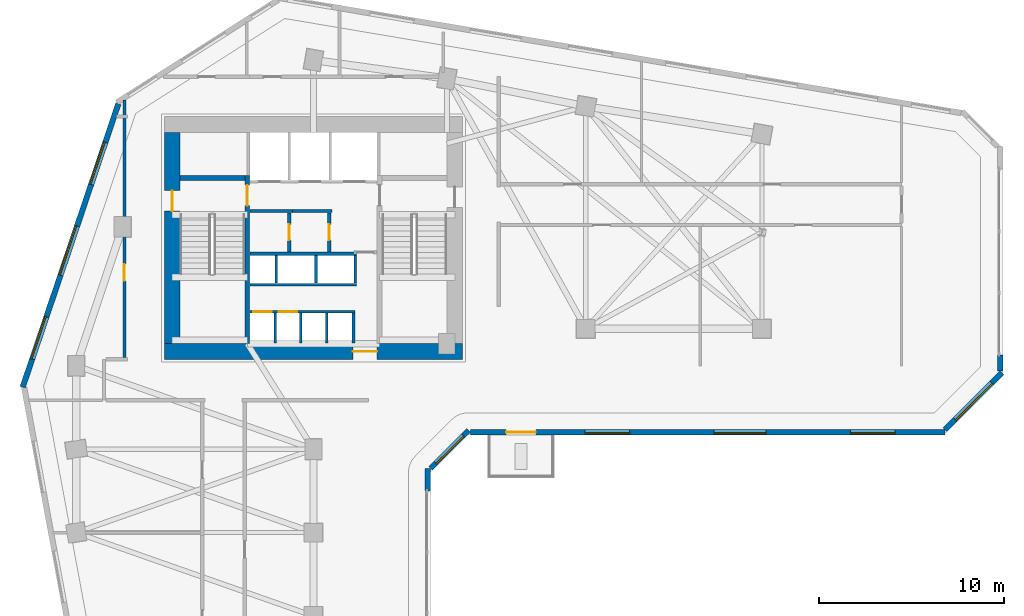
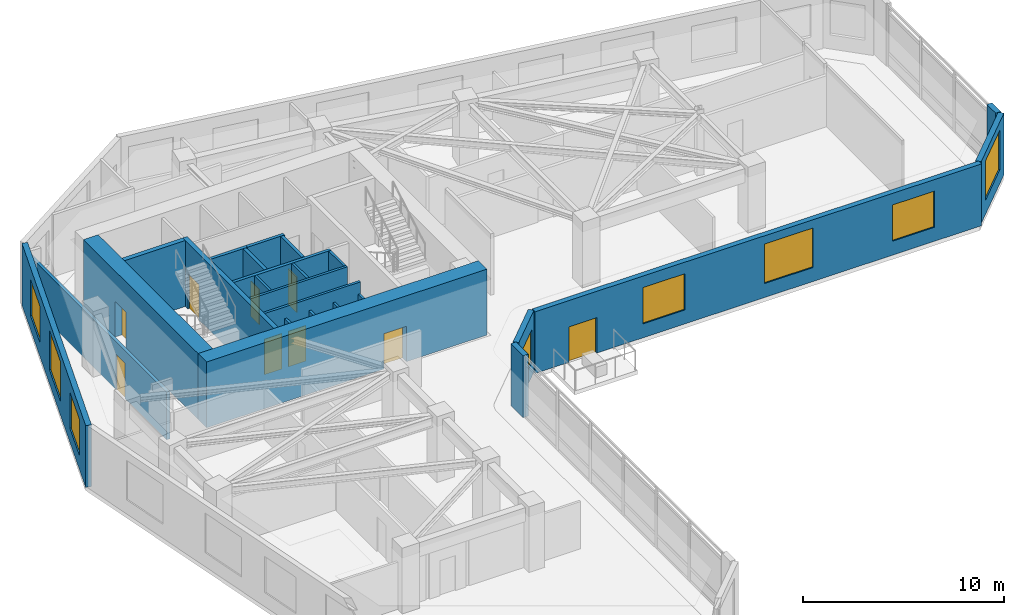
# One storey, part 7 of 11: 25 walls, 9 doors, 8 windows, 17 openings.
"""IFC4 building model written with IfcOpenShell, lengths in metres."""

from ifc_helpers import new_model, si_unit, direction, frame, frame_2d, origin, place, context, subcontext, project, spatial, rectangle, extrude, source, transform, mapped, material, layer, layer_set, type_object, element, fill, save


model = new_model("IFC4")

# Units and contexts
model_context = context("Model", 3, precision=1e-05, world=origin(), true_north=direction((0.0, 1.0)))
body_context = subcontext(model_context, "Body", "Model", "MODEL_VIEW")
ifc_project = project(units=[si_unit("LENGTHUNIT", "METRE"), si_unit("AREAUNIT", "SQUARE_METRE"), si_unit("VOLUMEUNIT", "CUBIC_METRE"), si_unit("PLANEANGLEUNIT", "RADIAN"), si_unit("MASSUNIT", "GRAM", prefix="KILO")], contexts=[model_context])

# Site, building, storey
site_placement = place(None, origin())
site = spatial("IfcSite", under=ifc_project, at=site_placement, CompositionType="ELEMENT")
building_placement = place(site_placement, origin())
building = spatial("IfcBuilding", under=site, at=building_placement, Name="Calvemar Wedge Station Tower", CompositionType="ELEMENT")
storey_placement = place(building_placement, frame((0.0, 0.0, 47.0)))
storey = spatial("IfcBuildingStorey", under=building, at=storey_placement, Name="L11", CompositionType="ELEMENT", Elevation=47.0)

# Wall, opening, door
ifc_material_1 = material(Name="Concrete C50", Category="concrete")
ifc_layer_1 = layer(ifc_material_1, 0.260009765625)
ifc_layer_set_1 = layer_set([ifc_layer_1], Name="Concrete C50")
wall_type_1 = type_object("IfcWallType", Name="SW-CORE-260", PredefinedType="SHEAR", material=ifc_layer_set_1)
wall_1_placement = place(storey_placement, frame((20.22998046875, 34.199951171875, 0.0), z_axis=(0.0, 0.0, 1.0), x_axis=(0.0, 1.0, 0.0)))
wall_1 = element("IfcWall", 1, at=wall_1_placement, inside=storey, type_object=wall_type_1, Name="Storey L11 Core Shear Wall SPINE-W", PredefinedType="SHEAR", context=body_context, shape_type="SweptSolid", body=[
    extrude(rectangle(XDim=9.06005859375, YDim=0.260009765625, at=frame_2d((4.530029296875, 0.0))), origin(), (0.0, 0.0, 1.0), 4.0),
])
shared_shape_1 = source(origin(), body_context, "Body", "SweptSolid", [
    extrude(rectangle(XDim=1.10009765625, YDim=2.14990234375, at=frame_2d((0.550048828125, 1.074951171875))), frame((0.0, 0.14013671875, 0.0), z_axis=(0.0, -1.0, 0.0), x_axis=(1.0, 0.0, 0.0)), (0.0, 0.0, 1.0), 0.280029296875),
])
opening_1_placement = place(wall_1_placement, frame((7.449951171875, 0.0, 0.0)))
opening_1 = element("IfcOpeningElement", 2, at=opening_1_placement, cuts=wall_1, Name="Opening FD-90", PredefinedType="OPENING", context=body_context, shape_type="MappedRepresentation", body=[
    mapped(shared_shape_1, transform((0.0, 0.0, 0.0), scale=1.0)),
])
ifc_material_2 = material(Name="Galvanized fire-rated steel door leaf P-90", Category="steel")
door_type_1 = type_object("IfcDoorType", Name="DR-FD90-1100", OperationType="NOTDEFINED", PredefinedType="DOOR", material=ifc_material_2)
shared_shape_2 = source(origin(), body_context, "Body", "SweptSolid", [
    extrude(rectangle(XDim=1.10009765625, YDim=2.14990234375, at=frame_2d((0.550048828125, 1.074951171875))), frame((0.0, 0.02490234375, 0.0), z_axis=(0.0, -1.0, 0.0), x_axis=(1.0, 0.0, 0.0)), (0.0, 0.0, 1.0), 0.050048828125),
])
door_1_placement = place(opening_1_placement, origin())
door_1 = element("IfcDoor", 3, at=door_1_placement, inside=storey, type_object=door_type_1, Name="L11 FF Lobby to Stair ST-C1 Door", OperationType="SINGLE_SWING_LEFT", OverallHeight=2.14990234375, OverallWidth=1.10009765625, PredefinedType="DOOR", context=body_context, shape_type="MappedRepresentation", body=[
    mapped(shared_shape_2, transform((0.0, 0.0, 0.0), scale=1.0)),
])
fill(opening_1, door_1)

# Wall
wall_2_placement = place(storey_placement, frame((16.60009765625, 43.1298828125, 0.0), z_axis=(0.0, 0.0, 1.0), x_axis=(1.0, 0.0, 0.0)))
element("IfcWall", 4, at=wall_2_placement, inside=storey, type_object=wall_type_1, Name="Storey L11 Core Shear Wall STC1-N", PredefinedType="SHEAR", context=body_context, shape_type="SweptSolid", body=[
    extrude(rectangle(XDim=3.5, YDim=0.260009765625, at=frame_2d((1.75, 0.0))), origin(), (0.0, 0.0, 1.0), 4.0),
])

# Wall, opening, door
ifc_material_3 = material(Name="Concrete C80", Category="concrete")
ifc_layer_2 = layer(ifc_material_3, 0.85009765625)
ifc_layer_set_2 = layer_set([ifc_layer_2], Name="Concrete C80")
wall_type_2 = type_object("IfcWallType", Name="SW-CORE-850", PredefinedType="SHEAR", material=ifc_layer_set_2)
wall_3_placement = place(storey_placement, frame((15.75, 33.77490234375, 0.0), z_axis=(0.0, 0.0, 1.0), x_axis=(1.0, 0.0, 0.0)))
wall_3 = element("IfcWall", 5, at=wall_3_placement, inside=storey, type_object=wall_type_2, Name="Storey L11 Core Shear Wall S", PredefinedType="SHEAR", context=body_context, shape_type="SweptSolid", body=[
    extrude(rectangle(XDim=16.10009765625, YDim=0.85009765625, at=frame_2d((8.050048828125, 0.0))), origin(), (0.0, 0.0, 1.0), 4.0),
])
shared_shape_3 = source(origin(), body_context, "Body", "SweptSolid", [
    extrude(rectangle(XDim=1.300048828125, YDim=2.14990234375, at=frame_2d((0.64990234375, 1.074951171875))), frame((0.0, 0.43505859375, 0.0), z_axis=(0.0, -1.0, 0.0), x_axis=(1.0, 0.0, 0.0)), (0.0, 0.0, 1.0), 0.8701171875),
])
opening_2_placement = place(wall_3_placement, frame((10.179931640625, 0.0, 0.0)))
opening_2 = element("IfcOpeningElement", 6, at=opening_2_placement, cuts=wall_3, Name="Opening DD-130", PredefinedType="OPENING", context=body_context, shape_type="MappedRepresentation", body=[
    mapped(shared_shape_3, transform((0.0, 0.0, 0.0), scale=1.0)),
])
ifc_material_4 = material(Name="Double-leaf lift lobby fire door EI 60")
door_type_2 = type_object("IfcDoorType", Name="DR-DBL-1300", OperationType="DOUBLE_DOOR_SINGLE_SWING", PredefinedType="DOOR", material=ifc_material_4)
shared_shape_4 = source(origin(), body_context, "Body", "SweptSolid", [
    extrude(rectangle(XDim=1.300048828125, YDim=2.14990234375, at=frame_2d((0.64990234375, 1.074951171875))), frame((0.0, 0.02490234375, 0.0), z_axis=(0.0, -1.0, 0.0), x_axis=(1.0, 0.0, 0.0)), (0.0, 0.0, 1.0), 0.050048828125),
])
door_2_placement = place(opening_2_placement, origin())
door_2 = element("IfcDoor", 7, at=door_2_placement, inside=storey, type_object=door_type_2, Name="L11 Passenger Lift Lobby Door", OperationType="DOUBLE_DOOR_SINGLE_SWING", OverallHeight=2.14990234375, OverallWidth=1.300048828125, PredefinedType="DOOR", context=body_context, shape_type="MappedRepresentation", body=[
    mapped(shared_shape_4, transform((0.0, 0.0, 0.0), scale=1.0)),
])
fill(opening_2, door_2)

wall_4_placement = place(storey_placement, frame((16.175048828125, 34.199951171875, 0.0), z_axis=(0.0, 0.0, 1.0), x_axis=(0.0, 1.0, 0.0)))
wall_4 = element("IfcWall", 8, at=wall_4_placement, inside=storey, type_object=wall_type_2, Name="Storey L11 Core Shear Wall W", PredefinedType="SHEAR", context=body_context, shape_type="SweptSolid", body=[
    extrude(rectangle(XDim=11.400146484375, YDim=0.85009765625, at=frame_2d((5.7001953125, 0.0))), origin(), (0.0, 0.0, 1.0), 4.0),
])
shared_shape_5 = source(origin(), body_context, "Body", "SweptSolid", [
    extrude(rectangle(XDim=1.10009765625, YDim=2.14990234375, at=frame_2d((0.550048828125, 1.074951171875))), frame((0.0, 0.43505859375, 0.0), z_axis=(0.0, -1.0, 0.0), x_axis=(1.0, 0.0, 0.0)), (0.0, 0.0, 1.0), 0.8701171875),
])
opening_3_placement = place(wall_4_placement, frame((7.14990234375, 0.0, 0.0)))
opening_3 = element("IfcOpeningElement", 9, at=opening_3_placement, cuts=wall_4, Name="Opening FD-90", PredefinedType="OPENING", context=body_context, shape_type="MappedRepresentation", body=[
    mapped(shared_shape_5, transform((0.0, 0.0, 0.0), scale=1.0)),
])
door_3_placement = place(opening_3_placement, origin())
door_3 = element("IfcDoor", 10, at=door_3_placement, inside=storey, type_object=door_type_1, Name="L11 West Corridor to Exit Stair ST-C1 Door", OperationType="SINGLE_SWING_LEFT", OverallHeight=2.14990234375, OverallWidth=1.10009765625, PredefinedType="DOOR", context=body_context, shape_type="MappedRepresentation", body=[
    mapped(shared_shape_2, transform((0.0, 0.0, 0.0), scale=1.0)),
])
fill(opening_3, door_3)

# Walls
ifc_material_5 = material(Name="Double-stud fire-rated corridor partition")
ifc_layer_3 = layer(ifc_material_5, 0.179931640625)
ifc_layer_set_3 = layer_set([ifc_layer_3], Name="Double-stud fire-rated corridor partition")
wall_type_3 = type_object("IfcWallType", Name="W-CORR-180", PredefinedType="PARTITIONING", material=ifc_layer_set_3)
wall_5_placement = place(storey_placement, frame((22.659912109375, 41.35009765625, 0.0), z_axis=(0.0, 0.0, 1.0), x_axis=(-1.0, 0.0, 0.0)))
element("IfcWall", 11, at=wall_5_placement, inside=storey, type_object=wall_type_3, Name="Storey L11 Interior Partition WL-L11-001", PredefinedType="PARTITIONING", context=body_context, shape_type="SweptSolid", body=[
    extrude(rectangle(XDim=2.280029296875, YDim=0.179931640625, at=frame_2d((1.14013671875, 0.0))), origin(), (0.0, 0.0, 1.0), 3.75),
])
wall_6_placement = place(storey_placement, frame((24.81005859375, 41.35009765625, 0.0), z_axis=(0.0, 0.0, 1.0), x_axis=(-1.0, 0.0, 0.0)))
element("IfcWall", 12, at=wall_6_placement, inside=storey, type_object=wall_type_3, Name="Storey L11 Interior Partition WL-L11-002", PredefinedType="PARTITIONING", context=body_context, shape_type="SweptSolid", body=[
    extrude(rectangle(XDim=2.14794921875, YDim=0.179931640625, at=frame_2d((1.073974609375, 0.0))), origin(), (0.0, 0.0, 1.0), 3.75),
])

# Wall, opening, door
wall_7_placement = place(storey_placement, frame((22.5, 41.256103515625, 0.0), z_axis=(0.0, 0.0, 1.0), x_axis=(0.0, -1.0, 0.0)))
wall_7 = element("IfcWall", 13, at=wall_7_placement, inside=storey, type_object=wall_type_3, Name="Storey L11 Interior Partition WL-L11-003", PredefinedType="PARTITIONING", context=body_context, shape_type="SweptSolid", body=[
    extrude(rectangle(XDim=2.106201171875, YDim=0.179931640625, at=frame_2d((1.05322265625, 0.0))), origin(), (0.0, 0.0, 1.0), 3.75),
])
shared_shape_6 = source(origin(), body_context, "Body", "SweptSolid", [
    extrude(rectangle(XDim=0.85009765625, YDim=2.14990234375, at=frame_2d((0.425048828125, 1.074951171875))), frame((0.0, 0.10009765625, 0.0), z_axis=(0.0, -1.0, 0.0), x_axis=(1.0, 0.0, 0.0)), (0.0, 0.0, 1.0), 0.199951171875),
])
opening_4_placement = place(wall_7_placement, frame((0.6279296875, 0.0, 0.0)))
opening_4 = element("IfcOpeningElement", 14, at=opening_4_placement, cuts=wall_7, Name="Opening FD-60S", PredefinedType="OPENING", context=body_context, shape_type="MappedRepresentation", body=[
    mapped(shared_shape_6, transform((0.0, 0.0, 0.0), scale=1.0)),
])
ifc_material_6 = material(Name="Fire-rated steel and hardwood service door EI 60", Category="steel")
door_type_3 = type_object("IfcDoorType", Name="DR-CORE-FD60-850", OperationType="NOTDEFINED", PredefinedType="DOOR", material=ifc_material_6)
shared_shape_7 = source(origin(), body_context, "Body", "SweptSolid", [
    extrude(rectangle(XDim=0.85009765625, YDim=2.14990234375, at=frame_2d((0.425048828125, 1.074951171875))), frame((0.0, 0.02490234375, 0.0), z_axis=(0.0, -1.0, 0.0), x_axis=(1.0, 0.0, 0.0)), (0.0, 0.0, 1.0), 0.050048828125),
])
door_4_placement = place(opening_4_placement, origin())
door_4 = element("IfcDoor", 15, at=door_4_placement, inside=storey, type_object=door_type_3, Name="L11 IT and Telecoms Room Door", OperationType="SINGLE_SWING_LEFT", OverallHeight=2.14990234375, OverallWidth=0.85009765625, PredefinedType="DOOR", context=body_context, shape_type="MappedRepresentation", body=[
    mapped(shared_shape_7, transform((0.0, 0.0, 0.0), scale=1.0)),
])
fill(opening_4, door_4)

wall_8_placement = place(storey_placement, frame((24.64990234375, 41.256103515625, 0.0), z_axis=(0.0, 0.0, 1.0), x_axis=(0.0, -1.0, 0.0)))
wall_8 = element("IfcWall", 16, at=wall_8_placement, inside=storey, type_object=wall_type_3, Name="Storey L11 Interior Partition WL-L11-004", PredefinedType="PARTITIONING", context=body_context, shape_type="SweptSolid", body=[
    extrude(rectangle(XDim=2.106201171875, YDim=0.179931640625, at=frame_2d((1.05322265625, 0.0))), origin(), (0.0, 0.0, 1.0), 3.75),
])
opening_5_placement = place(wall_8_placement, frame((0.6279296875, 0.0, 0.0)))
opening_5 = element("IfcOpeningElement", 17, at=opening_5_placement, cuts=wall_8, Name="Opening FD-60S", PredefinedType="OPENING", context=body_context, shape_type="MappedRepresentation", body=[
    mapped(shared_shape_6, transform((0.0, 0.0, 0.0), scale=1.0)),
])
door_5_placement = place(opening_5_placement, origin())
door_5 = element("IfcDoor", 18, at=door_5_placement, inside=storey, type_object=door_type_3, Name="L11 Core Equipment Store Door", OperationType="SINGLE_SWING_RIGHT", OverallHeight=2.14990234375, OverallWidth=0.85009765625, PredefinedType="DOOR", context=body_context, shape_type="MappedRepresentation", body=[
    mapped(shared_shape_7, transform((0.0, 0.0, 0.0), scale=1.0)),
])
fill(opening_5, door_5)

wall_9_placement = place(storey_placement, frame((13.60009765625, 33.444091796875, 0.0), z_axis=(0.0, 0.0, 1.0), x_axis=(0.0, 1.0, 0.0)))
wall_9 = element("IfcWall", 19, at=wall_9_placement, inside=storey, type_object=wall_type_3, Name="Storey L11 Interior Partition WL-L11-010", PredefinedType="PARTITIONING", context=body_context, shape_type="SweptSolid", body=[
    extrude(rectangle(XDim=13.896240234375, YDim=0.179931640625, at=frame_2d((6.9482421875, 0.0))), origin(), (0.0, 0.0, 1.0), 2.89208984375),
])
shared_shape_8 = source(origin(), body_context, "Body", "SweptSolid", [
    extrude(rectangle(XDim=0.89990234375, YDim=2.14990234375, at=frame_2d((0.449951171875, 1.074951171875))), frame((0.0, 0.10009765625, 0.0), z_axis=(0.0, -1.0, 0.0), x_axis=(1.0, 0.0, 0.0)), (0.0, 0.0, 1.0), 0.199951171875),
])
opening_6_placement = place(wall_9_placement, frame((4.143798828125, 0.0, 0.0)))
opening_6 = element("IfcOpeningElement", 20, at=opening_6_placement, cuts=wall_9, Name="Opening D-01", PredefinedType="OPENING", context=body_context, shape_type="MappedRepresentation", body=[
    mapped(shared_shape_8, transform((0.0, 0.0, 0.0), scale=1.0)),
])
ifc_material_7 = material(Name="Architectural hardwood acoustic swing door", Category="wood")
door_type_4 = type_object("IfcDoorType", Name="DR-INT-900", OperationType="NOTDEFINED", PredefinedType="DOOR", material=ifc_material_7)
shared_shape_9 = source(origin(), body_context, "Body", "SweptSolid", [
    extrude(rectangle(XDim=0.89990234375, YDim=2.14990234375, at=frame_2d((0.449951171875, 1.074951171875))), frame((0.0, 0.02490234375, 0.0), z_axis=(0.0, -1.0, 0.0), x_axis=(1.0, 0.0, 0.0)), (0.0, 0.0, 1.0), 0.050048828125),
])
door_6_placement = place(opening_6_placement, origin())
door_6 = element("IfcDoor", 21, at=door_6_placement, inside=storey, type_object=door_type_4, Name="L11 Co-Working Studio Door", OperationType="SINGLE_SWING_RIGHT", OverallHeight=2.14990234375, OverallWidth=0.89990234375, PredefinedType="DOOR", context=body_context, shape_type="MappedRepresentation", body=[
    mapped(shared_shape_9, transform((0.0, 0.0, 0.0), scale=1.0)),
])
fill(opening_6, door_6)

# Wall
ifc_material_8 = material(Name="Precast concrete C45", Category="concrete")
ifc_layer_4 = layer(ifc_material_8, 0.300048828125)
ifc_layer_set_4 = layer_set([ifc_layer_4], Name="Precast concrete C45")
wall_type_4 = type_object("IfcWallType", Name="W-EXT-GFRC-300", PredefinedType="SOLIDWALL", material=ifc_layer_set_4)
wall_10_placement = place(storey_placement, frame((29.97802734375, 26.2470703125, 0.0), z_axis=(0.0, 0.0, 1.0), x_axis=(0.0, 1.0, 0.0)))
element("IfcWall", 22, at=wall_10_placement, inside=storey, type_object=wall_type_4, Name="Storey L11 Bronze GFRC Corner Pier 4B", PredefinedType="SOLIDWALL", context=body_context, shape_type="SweptSolid", body=[
    extrude(rectangle(XDim=1.22509765625, YDim=0.300048828125, at=frame_2d((0.612548828125, 0.0))), origin(), (0.0, 0.0, 1.0), 3.75),
])

# Wall, opening, window
wall_11_placement = place(storey_placement, frame((30.115966796875, 27.460205078125, 0.0), z_axis=(0.0, 0.0, 1.0), x_axis=(0.707106781187, 0.707106781187, 0.0)))
wall_11 = element("IfcWall", 23, at=wall_11_placement, inside=storey, type_object=wall_type_4, Name="Storey L11 Bronze GFRC Exterior Wall 5", PredefinedType="SOLIDWALL", context=body_context, shape_type="SweptSolid", body=[
    extrude(rectangle(XDim=2.907470703125, YDim=0.300048828125, at=frame_2d((1.45361328125, 0.0))), origin(), (0.0, 0.0, 1.0), 3.75),
])
shared_shape_10 = source(origin(), body_context, "Body", "SweptSolid", [
    extrude(rectangle(XDim=2.10009765625, YDim=2.0, at=frame_2d((1.050048828125, 1.0))), frame((0.0, 0.16015625, 0.0), z_axis=(0.0, -1.0, 0.0), x_axis=(1.0, 0.0, 0.0)), (0.0, 0.0, 1.0), 0.320068359375),
])
opening_7_placement = place(wall_11_placement, frame((0.404052734375, 0.0, 0.85009765625)))
opening_7 = element("IfcOpeningElement", 24, at=opening_7_placement, cuts=wall_11, Name="Opening W4", PredefinedType="OPENING", context=body_context, shape_type="MappedRepresentation", body=[
    mapped(shared_shape_10, transform((0.0, 0.0, 0.0), scale=1.0)),
])
ifc_material_9 = material(Name="Low-E laminated insulated glass", Category="glass")
window_type_1 = type_object("IfcWindowType", Name="WIN-EXT-4", PartitioningType="SINGLE_PANEL", PredefinedType="WINDOW", material=ifc_material_9)
shared_shape_11 = source(origin(), body_context, "Body", "SweptSolid", [
    extrude(rectangle(XDim=2.10009765625, YDim=2.0, at=frame_2d((1.050048828125, 1.0))), frame((0.0, -0.014892578125, 0.0), z_axis=(0.0, -1.0, 0.0), x_axis=(1.0, 0.0, 0.0)), (0.0, 0.0, 1.0), 0.06005859375),
])
window_1_placement = place(opening_7_placement, origin())
window_1 = element("IfcWindow", 25, at=window_1_placement, inside=storey, type_object=window_type_1, Name="Storey L11 Recessed Window 5.1", OverallHeight=2.0, OverallWidth=2.10009765625, PartitioningType="SINGLE_PANEL", PredefinedType="WINDOW", context=body_context, shape_type="MappedRepresentation", body=[
    mapped(shared_shape_11, transform((0.0, 0.0, 0.0), scale=1.0)),
])
fill(opening_7, window_1)

# Wall, openings, windows, door
wall_12_placement = place(storey_placement, frame((32.260986328125, 29.409912109375, 0.0), z_axis=(0.0, 0.0, 1.0), x_axis=(1.0, 0.0, 0.0)))
wall_12 = element("IfcWall", 26, at=wall_12_placement, inside=storey, type_object=wall_type_4, Name="Storey L11 Bronze GFRC Exterior Wall 6", PredefinedType="SOLIDWALL", context=body_context, shape_type="SweptSolid", body=[
    extrude(rectangle(XDim=25.626953125, YDim=0.300048828125, at=frame_2d((12.8134765625, 0.0))), origin(), (0.0, 0.0, 1.0), 3.75),
])
shared_shape_12 = source(origin(), body_context, "Body", "SweptSolid", [
    extrude(rectangle(XDim=1.60009765625, YDim=2.14990234375, at=frame_2d((0.800048828125, 1.074951171875))), frame((0.0, 0.16015625, 0.0), z_axis=(0.0, -1.0, 0.0), x_axis=(1.0, 0.0, 0.0)), (0.0, 0.0, 1.0), 0.320068359375),
])
opening_8_placement = place(wall_12_placement, frame((1.93896484375, 0.0, 0.0)))
opening_8 = element("IfcOpeningElement", 27, at=opening_8_placement, cuts=wall_12, Name="Opening DT1", PredefinedType="OPENING", context=body_context, shape_type="MappedRepresentation", body=[
    mapped(shared_shape_12, transform((0.0, 0.0, 0.0), scale=1.0)),
])
shared_shape_13 = source(origin(), body_context, "Body", "SweptSolid", [
    extrude(rectangle(XDim=2.39990234375, YDim=2.199951171875, at=frame_2d((1.199951171875, 1.10009765625))), frame((0.0, 0.16015625, 0.0), z_axis=(0.0, -1.0, 0.0), x_axis=(1.0, 0.0, 0.0)), (0.0, 0.0, 1.0), 0.320068359375),
])
opening_9_placement = place(wall_12_placement, frame((6.199951171875, 0.0, 0.85009765625)))
opening_9 = element("IfcOpeningElement", 28, at=opening_9_placement, cuts=wall_12, Name="Opening W1", PredefinedType="OPENING", context=body_context, shape_type="MappedRepresentation", body=[
    mapped(shared_shape_13, transform((0.0, 0.0, 0.0), scale=1.0)),
])
shared_shape_14 = source(origin(), body_context, "Body", "SweptSolid", [
    extrude(rectangle(XDim=2.800048828125, YDim=2.39990234375, at=frame_2d((1.39990234375, 1.199951171875))), frame((0.0, 0.16015625, 0.0), z_axis=(0.0, -1.0, 0.0), x_axis=(1.0, 0.0, 0.0)), (0.0, 0.0, 1.0), 0.320068359375),
])
opening_10_placement = place(wall_12_placement, frame((13.1630859375, 0.0, 0.85009765625)))
opening_10 = element("IfcOpeningElement", 29, at=opening_10_placement, cuts=wall_12, Name="Opening W6", PredefinedType="OPENING", context=body_context, shape_type="MappedRepresentation", body=[
    mapped(shared_shape_14, transform((0.0, 0.0, 0.0), scale=1.0)),
])
opening_11_placement = place(wall_12_placement, frame((20.52587890625, 0.0, 0.85009765625)))
opening_11 = element("IfcOpeningElement", 30, at=opening_11_placement, cuts=wall_12, Name="Opening W1", PredefinedType="OPENING", context=body_context, shape_type="MappedRepresentation", body=[
    mapped(shared_shape_13, transform((0.0, 0.0, 0.0), scale=1.0)),
])
window_type_2 = type_object("IfcWindowType", Name="WIN-EXT-6", PartitioningType="SINGLE_PANEL", PredefinedType="WINDOW", material=ifc_material_9)
shared_shape_15 = source(origin(), body_context, "Body", "SweptSolid", [
    extrude(rectangle(XDim=2.800048828125, YDim=2.39990234375, at=frame_2d((1.39990234375, 1.199951171875))), frame((0.0, -0.014892578125, 0.0), z_axis=(0.0, -1.0, 0.0), x_axis=(1.0, 0.0, 0.0)), (0.0, 0.0, 1.0), 0.06005859375),
])
window_2_placement = place(opening_10_placement, origin())
window_2 = element("IfcWindow", 31, at=window_2_placement, inside=storey, type_object=window_type_2, Name="Storey L11 Recessed Window 6.2", OverallHeight=2.39990234375, OverallWidth=2.800048828125, PartitioningType="SINGLE_PANEL", PredefinedType="WINDOW", context=body_context, shape_type="MappedRepresentation", body=[
    mapped(shared_shape_15, transform((0.0, 0.0, 0.0), scale=1.0)),
])
fill(opening_10, window_2)
window_type_3 = type_object("IfcWindowType", Name="WIN-EXT-1", PartitioningType="SINGLE_PANEL", PredefinedType="WINDOW", material=ifc_material_9)
shared_shape_16 = source(origin(), body_context, "Body", "SweptSolid", [
    extrude(rectangle(XDim=2.39990234375, YDim=2.199951171875, at=frame_2d((1.199951171875, 1.10009765625))), frame((0.0, -0.014892578125, 0.0), z_axis=(0.0, -1.0, 0.0), x_axis=(1.0, 0.0, 0.0)), (0.0, 0.0, 1.0), 0.06005859375),
])
window_3_placement = place(opening_9_placement, origin())
window_3 = element("IfcWindow", 32, at=window_3_placement, inside=storey, type_object=window_type_3, Name="Storey L11 Recessed Window 6.1", OverallHeight=2.199951171875, OverallWidth=2.39990234375, PartitioningType="SINGLE_PANEL", PredefinedType="WINDOW", context=body_context, shape_type="MappedRepresentation", body=[
    mapped(shared_shape_16, transform((0.0, 0.0, 0.0), scale=1.0)),
])
fill(opening_9, window_3)
window_4_placement = place(opening_11_placement, origin())
window_4 = element("IfcWindow", 33, at=window_4_placement, inside=storey, type_object=window_type_3, Name="Storey L11 Recessed Window 6.3", OverallHeight=2.199951171875, OverallWidth=2.39990234375, PartitioningType="SINGLE_PANEL", PredefinedType="WINDOW", context=body_context, shape_type="MappedRepresentation", body=[
    mapped(shared_shape_16, transform((0.0, 0.0, 0.0), scale=1.0)),
])
fill(opening_11, window_4)
ifc_material_10 = material(Name="Anodised aluminium 6063-T6", Category="aluminium")
door_type_5 = type_object("IfcDoorType", Name="DR-TERR-1600", OperationType="DOUBLE_DOOR_SLIDING", PredefinedType="DOOR", material=ifc_material_10)
shared_shape_17 = source(origin(), body_context, "Body", "SweptSolid", [
    extrude(rectangle(XDim=1.60009765625, YDim=2.14990234375, at=frame_2d((0.800048828125, 1.074951171875))), frame((0.0, 0.02490234375, 0.0), z_axis=(0.0, -1.0, 0.0), x_axis=(1.0, 0.0, 0.0)), (0.0, 0.0, 1.0), 0.050048828125),
])
door_7_placement = place(opening_8_placement, origin())
door_7 = element("IfcDoor", 34, at=door_7_placement, inside=storey, type_object=door_type_5, Name="Storey L11 Spiral Terrace Door", OperationType="DOUBLE_DOOR_SLIDING", OverallHeight=2.14990234375, OverallWidth=1.60009765625, PredefinedType="DOOR", context=body_context, shape_type="MappedRepresentation", body=[
    mapped(shared_shape_17, transform((0.0, 0.0, 0.0), scale=1.0)),
])
fill(opening_8, door_7)

# Wall, opening, window
wall_13_placement = place(storey_placement, frame((57.8759765625, 29.548095703125, 0.0), z_axis=(0.0, 0.0, 1.0), x_axis=(0.707106781187, 0.707106781187, 0.0)))
wall_13 = element("IfcWall", 35, at=wall_13_placement, inside=storey, type_object=wall_type_4, Name="Storey L11 Bronze GFRC Exterior Wall 7", PredefinedType="SOLIDWALL", context=body_context, shape_type="SweptSolid", body=[
    extrude(rectangle(XDim=4.35595703125, YDim=0.300048828125, at=frame_2d((2.177978515625, 0.0))), origin(), (0.0, 0.0, 1.0), 3.75),
])
opening_12_placement = place(wall_13_placement, frame((0.778076171875, 0.0, 0.85009765625)))
opening_12 = element("IfcOpeningElement", 36, at=opening_12_placement, cuts=wall_13, Name="Opening W6", PredefinedType="OPENING", context=body_context, shape_type="MappedRepresentation", body=[
    mapped(shared_shape_14, transform((0.0, 0.0, 0.0), scale=1.0)),
])
window_5_placement = place(opening_12_placement, origin())
window_5 = element("IfcWindow", 37, at=window_5_placement, inside=storey, type_object=window_type_2, Name="Storey L11 Recessed Window 7.1", OverallHeight=2.39990234375, OverallWidth=2.800048828125, PartitioningType="SINGLE_PANEL", PredefinedType="WINDOW", context=body_context, shape_type="MappedRepresentation", body=[
    mapped(shared_shape_15, transform((0.0, 0.0, 0.0), scale=1.0)),
])
fill(opening_12, window_5)

# Wall
wall_14_placement = place(storey_placement, frame((60.85009765625, 32.71728515625, 0.0), z_axis=(0.0, 0.0, 1.0), x_axis=(0.0, 1.0, 0.0)))
element("IfcWall", 38, at=wall_14_placement, inside=storey, type_object=wall_type_4, Name="Storey L11 Bronze GFRC Corner Pier 8A", PredefinedType="SOLIDWALL", context=body_context, shape_type="SweptSolid", body=[
    extrude(rectangle(XDim=0.8798828125, YDim=0.300048828125, at=frame_2d((0.43994140625, 0.0))), origin(), (0.0, 0.0, 1.0), 3.75),
])

# Wall, openings, windows
wall_15_placement = place(storey_placement, frame((13.2685546875, 47.1337890625, 0.0), z_axis=(0.0, 0.0, 1.0), x_axis=(-0.319920423265, -0.947444416722, 0.0)))
wall_15 = element("IfcWall", 39, at=wall_15_placement, inside=storey, type_object=wall_type_4, Name="Storey L11 Bronze GFRC Exterior Wall 12", PredefinedType="SOLIDWALL", context=body_context, shape_type="SweptSolid", body=[
    extrude(rectangle(XDim=16.134765625, YDim=0.300048828125, at=frame_2d((8.0673828125, 0.0))), origin(), (0.0, 0.0, 1.0), 3.75),
])
opening_13_placement = place(wall_15_placement, frame((2.18798828125, 0.0, 0.85009765625)))
opening_13 = element("IfcOpeningElement", 40, at=opening_13_placement, cuts=wall_15, Name="Opening W1", PredefinedType="OPENING", context=body_context, shape_type="MappedRepresentation", body=[
    mapped(shared_shape_13, transform((0.0, 0.0, 0.0), scale=1.0)),
])
opening_14_placement = place(wall_15_placement, frame((6.958984375, 0.0, 0.85009765625)))
opening_14 = element("IfcOpeningElement", 41, at=opening_14_placement, cuts=wall_15, Name="Opening W6", PredefinedType="OPENING", context=body_context, shape_type="MappedRepresentation", body=[
    mapped(shared_shape_14, transform((0.0, 0.0, 0.0), scale=1.0)),
])
opening_15_placement = place(wall_15_placement, frame((12.1298828125, 0.0, 0.85009765625)))
opening_15 = element("IfcOpeningElement", 42, at=opening_15_placement, cuts=wall_15, Name="Opening W1", PredefinedType="OPENING", context=body_context, shape_type="MappedRepresentation", body=[
    mapped(shared_shape_13, transform((0.0, 0.0, 0.0), scale=1.0)),
])
window_6_placement = place(opening_14_placement, origin())
window_6 = element("IfcWindow", 43, at=window_6_placement, inside=storey, type_object=window_type_2, Name="Storey L11 Recessed Window 12.2", OverallHeight=2.39990234375, OverallWidth=2.800048828125, PartitioningType="SINGLE_PANEL", PredefinedType="WINDOW", context=body_context, shape_type="MappedRepresentation", body=[
    mapped(shared_shape_15, transform((0.0, 0.0, 0.0), scale=1.0)),
])
fill(opening_14, window_6)
window_7_placement = place(opening_13_placement, origin())
window_7 = element("IfcWindow", 44, at=window_7_placement, inside=storey, type_object=window_type_3, Name="Storey L11 Recessed Window 12.1", OverallHeight=2.199951171875, OverallWidth=2.39990234375, PartitioningType="SINGLE_PANEL", PredefinedType="WINDOW", context=body_context, shape_type="MappedRepresentation", body=[
    mapped(shared_shape_16, transform((0.0, 0.0, 0.0), scale=1.0)),
])
fill(opening_13, window_7)
window_8_placement = place(opening_15_placement, origin())
window_8 = element("IfcWindow", 45, at=window_8_placement, inside=storey, type_object=window_type_3, Name="Storey L11 Recessed Window 12.3", OverallHeight=2.199951171875, OverallWidth=2.39990234375, PartitioningType="SINGLE_PANEL", PredefinedType="WINDOW", context=body_context, shape_type="MappedRepresentation", body=[
    mapped(shared_shape_16, transform((0.0, 0.0, 0.0), scale=1.0)),
])
fill(opening_15, window_8)

# Wall, openings, doors
ifc_material_11 = material(Name="Reinforced concrete blockwork lift shaft wall", Category="masonry")
ifc_layer_5 = layer(ifc_material_11, 0.139892578125)
ifc_layer_set_5 = layer_set([ifc_layer_5], Name="Reinforced concrete blockwork lift shaft wall")
wall_type_5 = type_object("IfcWallType", Name="W-LIFT-160", PredefinedType="SOLIDWALL", material=ifc_layer_set_5)
wall_16_placement = place(storey_placement, frame((20.3798828125, 35.919921875, 0.0), z_axis=(0.0, 0.0, 1.0), x_axis=(1.0, 0.0, 0.0)))
wall_16 = element("IfcWall", 46, at=wall_16_placement, inside=storey, type_object=wall_type_5, Name="Storey L11 South Passenger Lift Bank Front Wall", PredefinedType="SOLIDWALL", context=body_context, shape_type="SweptSolid", body=[
    extrude(rectangle(XDim=5.650146484375, YDim=0.139892578125, at=frame_2d((2.8251953125, 0.0))), origin(), (0.0, 0.0, 1.0), 3.75),
])
shared_shape_18 = source(origin(), body_context, "Body", "SweptSolid", [
    extrude(rectangle(XDim=1.0, YDim=2.14990234375, at=frame_2d((0.5, 1.074951171875))), frame((0.0, 0.080078125, 0.0), z_axis=(0.0, -1.0, 0.0), x_axis=(1.0, 0.0, 0.0)), (0.0, 0.0, 1.0), 0.159912109375),
])
opening_16_placement = place(wall_16_placement, frame((0.159912109375, 0.0, 0.0)))
opening_16 = element("IfcOpeningElement", 47, at=opening_16_placement, cuts=wall_16, Name="Opening LD-PAX", PredefinedType="OPENING", context=body_context, shape_type="MappedRepresentation", body=[
    mapped(shared_shape_18, transform((0.0, 0.0, 0.0), scale=1.0)),
])
opening_17_placement = place(wall_16_placement, frame((1.550048828125, 0.0, 0.0)))
opening_17 = element("IfcOpeningElement", 48, at=opening_17_placement, cuts=wall_16, Name="Opening LD-PAX", PredefinedType="OPENING", context=body_context, shape_type="MappedRepresentation", body=[
    mapped(shared_shape_18, transform((0.0, 0.0, 0.0), scale=1.0)),
])
ifc_material_12 = material(Name="Anodised bronze passenger lift sliding landing door")
door_type_6 = type_object("IfcDoorType", Name="DR-LD-PAX-1000", OperationType="SLIDING_TO_LEFT", PredefinedType="DOOR", material=ifc_material_12)
shared_shape_19 = source(origin(), body_context, "Body", "SweptSolid", [
    extrude(rectangle(XDim=1.0, YDim=2.14990234375, at=frame_2d((0.5, 1.074951171875))), frame((0.0, 0.02490234375, 0.0), z_axis=(0.0, -1.0, 0.0), x_axis=(1.0, 0.0, 0.0)), (0.0, 0.0, 1.0), 0.050048828125),
])
door_8_placement = place(opening_16_placement, origin())
door_8 = element("IfcDoor", 49, at=door_8_placement, inside=storey, type_object=door_type_6, Name="L11 Lift OL-01 Sliding Landing Door", OperationType="SLIDING_TO_LEFT", OverallHeight=2.14990234375, OverallWidth=1.0, PredefinedType="DOOR", context=body_context, shape_type="MappedRepresentation", body=[
    mapped(shared_shape_19, transform((0.0, 0.0, 0.0), scale=1.0)),
])
fill(opening_16, door_8)
door_9_placement = place(opening_17_placement, origin())
door_9 = element("IfcDoor", 50, at=door_9_placement, inside=storey, type_object=door_type_6, Name="L11 Lift OL-02 Sliding Landing Door", OperationType="SLIDING_TO_RIGHT", OverallHeight=2.14990234375, OverallWidth=1.0, PredefinedType="DOOR", context=body_context, shape_type="MappedRepresentation", body=[
    mapped(shared_shape_19, transform((0.0, 0.0, 0.0), scale=1.0)),
])
fill(opening_17, door_9)

# Walls
for number, where, z_axis, x_axis, name in (
    (51, (25.9599609375, 34.219970703125, 0.0), (0.0, 0.0, 1.0), (0.0, 1.0, 0.0), "Storey L11 South Passenger Lift Shaft Wall E"),
    (52, (21.735107421875, 34.219970703125, 0.0), (0.0, 0.0, 1.0), (0.0, 1.0, 0.0), "Storey L11 South Passenger Lift Shaft Wall D1"),
    (53, (23.125, 34.219970703125, 0.0), (0.0, 0.0, 1.0), (0.0, 1.0, 0.0), "Storey L11 South Passenger Lift Shaft Wall D2"),
    (54, (24.514892578125, 34.219970703125, 0.0), (0.0, 0.0, 1.0), (0.0, 1.0, 0.0), "Storey L11 South Passenger Lift Shaft Wall D3"),
):
    element("IfcWall", number, at=place(storey_placement, frame(where, z_axis=z_axis, x_axis=x_axis)), inside=storey, type_object=wall_type_5, Name=name, PredefinedType="SOLIDWALL", context=body_context, shape_type="SweptSolid", body=[
        extrude(rectangle(XDim=1.6201171875, YDim=0.139892578125, at=frame_2d((0.81005859375, 0.0))), origin(), (0.0, 0.0, 1.0), 3.0419921875),
    ])
wall_17_placement = place(storey_placement, frame((20.3798828125, 37.3798828125, 0.0), z_axis=(0.0, 0.0, 1.0), x_axis=(1.0, 0.0, 0.0)))
element("IfcWall", 55, at=wall_17_placement, inside=storey, type_object=wall_type_5, Name="Storey L11 Upper Passenger Lift Bank Front Wall", PredefinedType="SOLIDWALL", context=body_context, shape_type="SweptSolid", body=[
    extrude(rectangle(XDim=5.75, YDim=0.139892578125, at=frame_2d((2.875, 0.0))), origin(), (0.0, 0.0, 1.0), 3.75),
])
for number, where, z_axis, x_axis, name in (
    (56, (26.06005859375, 37.4599609375, 0.0), (0.0, 0.0, 1.0), (0.0, 1.0, 0.0), "Storey L11 Upper Passenger Lift Shaft Wall E"),
    (57, (21.794921875, 37.4599609375, 0.0), (0.0, 0.0, 1.0), (0.0, 1.0, 0.0), "Storey L11 Upper Passenger Lift Shaft Wall D1"),
    (58, (23.93505859375, 37.4599609375, 0.0), (0.0, 0.0, 1.0), (0.0, 1.0, 0.0), "Storey L11 Upper Passenger Lift Shaft Wall D2"),
):
    element("IfcWall", number, at=place(storey_placement, frame(where, z_axis=z_axis, x_axis=x_axis)), inside=storey, type_object=wall_type_5, Name=name, PredefinedType="SOLIDWALL", context=body_context, shape_type="SweptSolid", body=[
        extrude(rectangle(XDim=1.47998046875, YDim=0.139892578125, at=frame_2d((0.739990234375, 0.0))), origin(), (0.0, 0.0, 1.0), 3.75),
    ])
ifc_material_13 = material(Name="Concrete blockwork and fireboard shaft wall", Category="masonry")
ifc_layer_6 = layer(ifc_material_13, 0.199951171875)
ifc_layer_set_6 = layer_set([ifc_layer_6], Name="Concrete blockwork and fireboard shaft wall")
wall_type_6 = type_object("IfcWallType", Name="W-SHAFT-200", PredefinedType="SOLIDWALL", material=ifc_layer_set_6)
wall_18_placement = place(storey_placement, frame((20.3798828125, 39.0400390625, 0.0), z_axis=(0.0, 0.0, 1.0), x_axis=(1.0, 0.0, 0.0)))
element("IfcWall", 59, at=wall_18_placement, inside=storey, type_object=wall_type_6, Name="Storey L11 Upper Passenger Lift Bank Rear Shaft Wall", PredefinedType="SOLIDWALL", context=body_context, shape_type="SweptSolid", body=[
    extrude(rectangle(XDim=5.75, YDim=0.179931640625, at=frame_2d((2.875, 0.0))), origin(), (0.0, 0.0, 1.0), 3.75),
])

save(model, "model.ifc")
